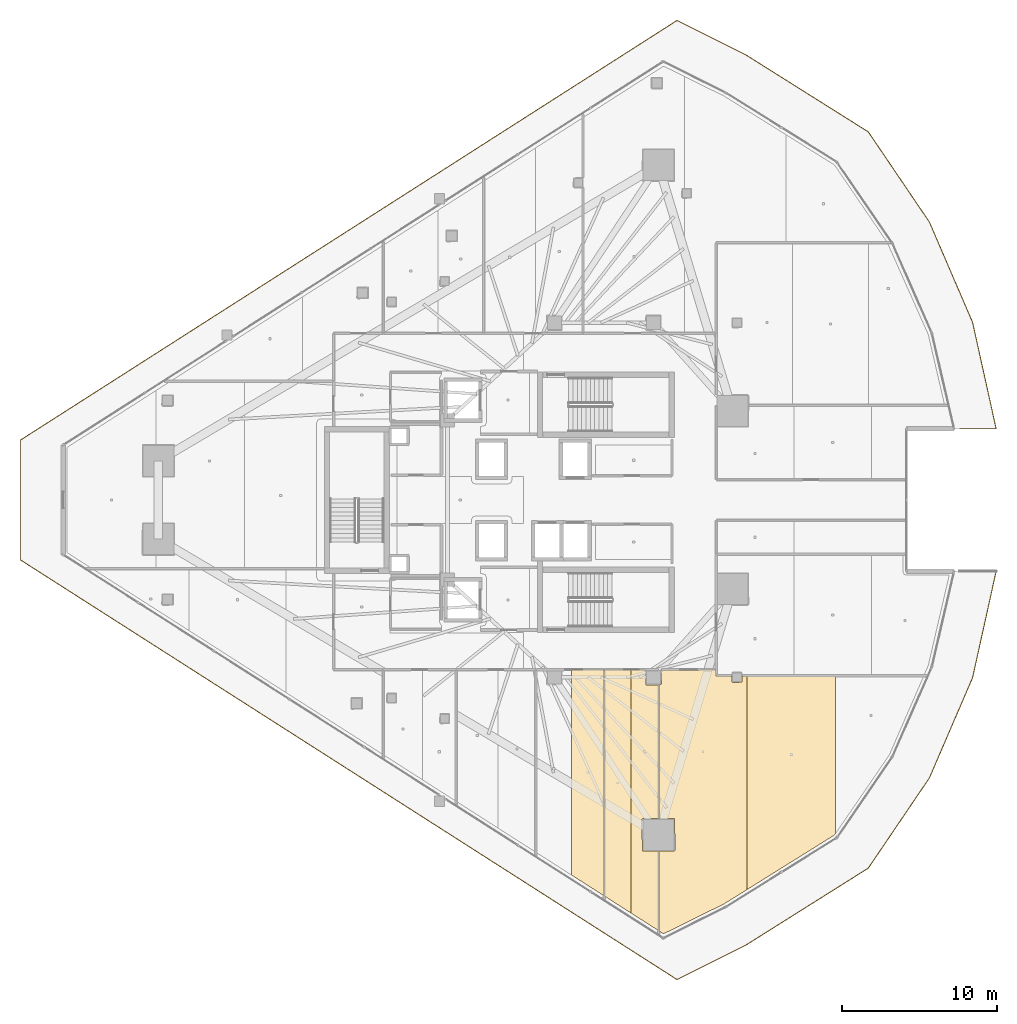
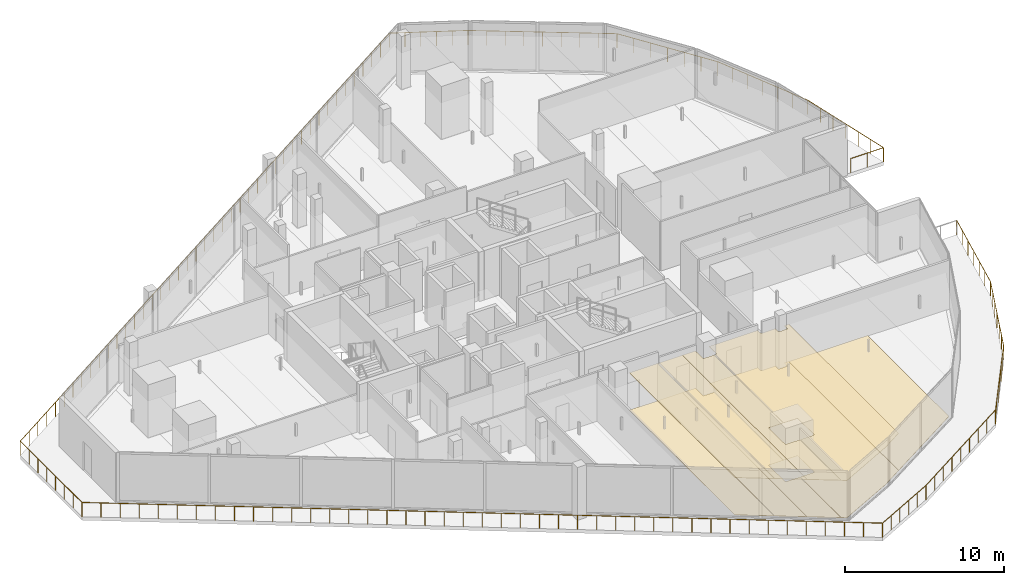
# One storey, part 33 of 37: 9 coverings, 1 railing.
"""IFC4 building model written with IfcOpenShell, lengths in metres."""

from ifc_helpers import new_model, si_unit, direction, frame, origin, origin_2d, place, context, subcontext, project, spatial, polyline, circle, outline, extrude, material, layer, layer_set, type_object, element, save


model = new_model("IFC4")

# Units and contexts
model_context = context("Model", 3, precision=1e-05, world=origin(), true_north=direction((0.0, 1.0)))
body_context = subcontext(model_context, "Body", "Model", "MODEL_VIEW")
ifc_project = project(units=[si_unit("LENGTHUNIT", "METRE"), si_unit("AREAUNIT", "SQUARE_METRE"), si_unit("VOLUMEUNIT", "CUBIC_METRE"), si_unit("PLANEANGLEUNIT", "RADIAN"), si_unit("MASSUNIT", "GRAM", prefix="KILO")], contexts=[model_context])

# Site, building, storey
site_placement = place(None, origin())
site = spatial("IfcSite", under=ifc_project, at=site_placement, CompositionType="ELEMENT")
building_placement = place(site_placement, origin())
building = spatial("IfcBuilding", under=site, at=building_placement, Name="Qorvath Tower", CompositionType="ELEMENT")
storey_placement = place(building_placement, frame((0.0, 0.0, 188.85009765625)))
storey = spatial("IfcBuildingStorey", under=building, at=storey_placement, Name="L43", CompositionType="ELEMENT", Elevation=188.85009765625)

# Coverings
ifc_material_1 = material(Name="Acoustic mineral fibre ceiling tile", Category="gypsum")
ifc_layer_1 = layer(ifc_material_1, 0.030029296875)
ifc_layer_set_1 = layer_set([ifc_layer_1], Name="COV-CEIL")
covering_type_1 = type_object("IfcCoveringType", Name="COV-CEIL", PredefinedType="CEILING", material=ifc_layer_set_1)
covering_1_placement = place(storey_placement, frame((0.0, 0.0, 2.849853515625)))
element("IfcCovering", 1, at=covering_1_placement, inside=storey, type_object=covering_type_1, Name="L43 Suspended Acoustic Ceiling 024", PredefinedType="CEILING", context=body_context, shape_type="SweptSolid", body=[
    extrude(outline(polyline([(-22.486572265625, -10.962890625), (-22.486572265625, -24.226806640625), (-20.387451171875, -25.568359375), (-20.387451171875, -10.962890625), (-22.486572265625, -10.962890625)])), origin(), (0.0, 0.0, 1.0), 0.030029296875),
])
covering_2_placement = place(storey_placement, frame((0.0, 0.0, 2.849853515625)))
element("IfcCovering", 2, at=covering_2_placement, inside=storey, type_object=covering_type_1, Name="L43 Suspended Acoustic Ceiling 025", PredefinedType="CEILING", context=body_context, shape_type="SweptSolid", body=[
    extrude(outline(polyline([(-18.646484375, -26.68115234375), (-18.646484375, -10.962890625), (-20.369384765625, -10.962890625), (-20.369384765625, -25.579833984375), (-18.646484375, -26.68115234375)])), origin(), (0.0, 0.0, 1.0), 0.030029296875),
])
covering_3_placement = place(storey_placement, frame((0.0, 0.0, 2.849853515625)))
element("IfcCovering", 3, at=covering_3_placement, inside=storey, type_object=covering_type_1, Name="L43 Suspended Acoustic Ceiling 026", PredefinedType="CEILING", context=body_context, shape_type="SweptSolid", body=[
    extrude(outline(polyline([(-17.87158203125, -20.567138671875), (-16.86474609375, -20.567138671875), (-16.86474609375, -11.9599609375), (-17.6923828125, -11.9423828125), (-17.694580078125, -10.962890625), (-18.646484375, -10.962890625), (-18.646484375, -26.68115234375), (-16.86474609375, -27.81982421875), (-16.86474609375, -22.68701171875), (-17.9140625, -22.66943359375), (-17.931640625, -20.627197265625), (-17.87158203125, -20.567138671875)])), origin(), (0.0, 0.0, 1.0), 0.030029296875),
])
covering_4_placement = place(storey_placement, frame((0.0, 0.0, 2.849853515625)))
element("IfcCovering", 4, at=covering_4_placement, inside=storey, type_object=covering_type_1, Name="L43 Suspended Acoustic Ceiling 027", PredefinedType="CEILING", context=body_context, shape_type="SweptSolid", body=[
    extrude(outline(polyline([(-16.8466796875, -27.83154296875), (-16.5458984375, -28.023681640625), (-12.6318359375, -26.089111328125), (-11.142578125, -25.159912109375), (-11.142578125, -11.35888671875), (-11.465087890625, -11.358642578125), (-11.482666015625, -11.767333984375), (-12.074951171875, -11.784912109375), (-12.135009765625, -11.72509765625), (-12.135009765625, -11.359375), (-13.153564453125, -11.357177734375), (-13.155029296875, -10.962890625), (-16.7021484375, -10.970703125), (-16.68994140625, -11.89990234375), (-16.8466796875, -11.9599609375), (-16.8466796875, -20.567138671875), (-15.829345703125, -20.584716796875), (-15.811767578125, -22.627197265625), (-15.87158203125, -22.68701171875), (-16.8466796875, -22.68701171875), (-16.8466796875, -27.83154296875)])), origin(), (0.0, 0.0, 1.0), 0.030029296875),
])
ifc_material_2 = material(Name="Low-VOC modular carpet tile", Category="textile")
ifc_layer_2 = layer(ifc_material_2, 0.014892578125)
ifc_layer_set_2 = layer_set([ifc_layer_2], Name="COV-FLOOR-CPT")
covering_type_2 = type_object("IfcCoveringType", Name="COV-FLOOR-CPT", PredefinedType="FLOORING", material=ifc_layer_set_2)
covering_5_placement = place(storey_placement, origin())
element("IfcCovering", 5, at=covering_5_placement, inside=storey, type_object=covering_type_2, Name="L43 Floor Finish 024", PredefinedType="FLOORING", context=body_context, shape_type="SweptSolid", body=[
    extrude(outline(polyline([(-22.486572265625, -10.962890625), (-22.486572265625, -24.226806640625), (-20.387451171875, -25.568359375), (-20.387451171875, -10.962890625), (-22.486572265625, -10.962890625)])), origin(), (0.0, 0.0, 1.0), 0.014892578125),
])
covering_6_placement = place(storey_placement, origin())
element("IfcCovering", 6, at=covering_6_placement, inside=storey, type_object=covering_type_2, Name="L43 Floor Finish 025", PredefinedType="FLOORING", context=body_context, shape_type="SweptSolid", body=[
    extrude(outline(polyline([(-18.646484375, -26.68115234375), (-18.646484375, -10.962890625), (-20.369384765625, -10.962890625), (-20.369384765625, -25.579833984375), (-18.646484375, -26.68115234375)])), origin(), (0.0, 0.0, 1.0), 0.014892578125),
])
covering_7_placement = place(storey_placement, origin())
element("IfcCovering", 7, at=covering_7_placement, inside=storey, type_object=covering_type_2, Name="L43 Floor Finish 026", PredefinedType="FLOORING", context=body_context, shape_type="SweptSolid", body=[
    extrude(outline(polyline([(-17.87158203125, -20.567138671875), (-16.86474609375, -20.567138671875), (-16.86474609375, -11.9599609375), (-17.6923828125, -11.9423828125), (-17.694580078125, -10.962890625), (-18.646484375, -10.962890625), (-18.646484375, -26.68115234375), (-16.86474609375, -27.81982421875), (-16.86474609375, -22.68701171875), (-17.9140625, -22.66943359375), (-17.931640625, -20.627197265625), (-17.87158203125, -20.567138671875)])), origin(), (0.0, 0.0, 1.0), 0.014892578125),
])
covering_8_placement = place(storey_placement, origin())
element("IfcCovering", 8, at=covering_8_placement, inside=storey, type_object=covering_type_2, Name="L43 Floor Finish 027", PredefinedType="FLOORING", context=body_context, shape_type="SweptSolid", body=[
    extrude(outline(polyline([(-16.8466796875, -27.83154296875), (-16.5458984375, -28.023681640625), (-12.6318359375, -26.089111328125), (-11.142578125, -25.159912109375), (-11.142578125, -11.35888671875), (-11.465087890625, -11.358642578125), (-11.482666015625, -11.767333984375), (-12.074951171875, -11.784912109375), (-12.135009765625, -11.72509765625), (-12.135009765625, -11.359375), (-13.153564453125, -11.357177734375), (-13.155029296875, -10.962890625), (-16.7021484375, -10.970703125), (-16.68994140625, -11.89990234375), (-16.8466796875, -11.9599609375), (-16.8466796875, -20.567138671875), (-15.829345703125, -20.584716796875), (-15.811767578125, -22.627197265625), (-15.87158203125, -22.68701171875), (-16.8466796875, -22.68701171875), (-16.8466796875, -27.83154296875)])), origin(), (0.0, 0.0, 1.0), 0.014892578125),
])
covering_9_placement = place(storey_placement, origin())
element("IfcCovering", 9, at=covering_9_placement, inside=storey, type_object=covering_type_2, Name="L43 Floor Finish 028", PredefinedType="FLOORING", context=body_context, shape_type="SweptSolid", body=[
    extrude(outline(polyline([(-11.142578125, -11.35888671875), (-11.142578125, -25.159912109375), (-5.496826171875, -21.637451171875), (-5.438720703125, -21.55224609375), (-5.438720703125, -11.361083984375), (-11.142578125, -11.35888671875)])), origin(), (0.0, 0.0, 1.0), 0.014892578125),
])

# Railing
ifc_material_3 = material(Name="Laminated safety glass and stainless steel AISI 316", Category="steel")
railing_type = type_object("IfcRailingType", Name="RL-EXT-GRD", PredefinedType="GUARDRAIL", material=ifc_material_3)
railing_placement = place(storey_placement, frame((4.9453125, -4.600830078125, 0.0)))
element("IfcRailing", 10, at=railing_placement, inside=storey, type_object=railing_type, Name="Loggia Perimeter Guardrail L43-1.1", PredefinedType="GUARDRAIL", context=body_context, shape_type="SweptSolid", body=[
    extrude(circle(Radius=0.02392578125, at=origin_2d()), frame((0.0, 0.0, 1.09619140625), z_axis=(-0.216101134356, -0.976370984683, 0.0), x_axis=(0.976370984683, -0.216101134356, 0.0)), (0.0, 0.0, 1.0), 7.045166015625),
    extrude(circle(Radius=0.02392578125, at=origin_2d()), frame((-1.5224609375, -6.878662109375, 1.09619140625), z_axis=(-0.395478650481, -0.918475169514, 0.0), x_axis=(0.918475169514, -0.395478650481, 0.0)), (0.0, 0.0, 1.0), 7.045654296875),
    extrude(circle(Radius=0.02392578125, at=origin_2d()), frame((-4.308837890625, -13.349853515625, 1.09619140625), z_axis=(-0.560826690673, -0.827933223774, 0.0), x_axis=(0.827933223774, -0.560826690673, 0.0)), (0.0, 0.0, 1.0), 7.045166015625),
    extrude(circle(Radius=0.02392578125, at=origin_2d()), frame((-8.260009765625, -19.182861328125, 1.09619140625), z_axis=(-0.84650166767, -0.532386069157, 0.0), x_axis=(0.532386069157, -0.84650166767, 0.0)), (0.0, 0.0, 1.0), 9.36865234375),
    extrude(circle(Radius=0.02392578125, at=origin_2d()), frame((-16.190673828125, -24.170654296875, 1.09619140625), z_axis=(-0.894437057166, -0.447193862623, 0.0), x_axis=(0.447193862623, -0.894437057166, 0.0)), (0.0, 0.0, 1.0), 4.948974609375),
    extrude(circle(Radius=0.02392578125, at=origin_2d()), frame((-20.6171875, -26.3837890625, 1.09619140625), z_axis=(-0.84260371591, 0.538534100996, 0.0), x_axis=(-0.538534100996, -0.84260371591, 0.0)), (0.0, 0.0, 1.0), 50.34326171875),
    extrude(circle(Radius=0.02392578125, at=origin_2d()), frame((-63.03662109375, 0.727783203125, 1.09619140625), z_axis=(0.0, 1.0, 0.0), x_axis=(-1.0, 0.0, 0.0)), (0.0, 0.0, 1.0), 7.74609375),
    extrude(circle(Radius=0.02392578125, at=origin_2d()), frame((-63.03662109375, 8.473876953125, 1.09619140625), z_axis=(0.84260371591, 0.538534100996, 0.0), x_axis=(-0.538534100996, 0.84260371591, 0.0)), (0.0, 0.0, 1.0), 50.34326171875),
    extrude(circle(Radius=0.02392578125, at=origin_2d()), frame((-20.6171875, 35.58544921875, 1.09619140625), z_axis=(0.894437057166, -0.447193862623, 0.0), x_axis=(0.447193862623, 0.894437057166, 0.0)), (0.0, 0.0, 1.0), 4.948974609375),
    extrude(circle(Radius=0.02392578125, at=origin_2d()), frame((-16.190673828125, 33.372314453125, 1.09619140625), z_axis=(0.84650166767, -0.532386069157, 0.0), x_axis=(0.532386069157, 0.84650166767, 0.0)), (0.0, 0.0, 1.0), 9.36865234375),
    extrude(circle(Radius=0.02392578125, at=origin_2d()), frame((-8.260009765625, 28.384521484375, 1.09619140625), z_axis=(0.560826690673, -0.827933223774, 0.0), x_axis=(0.827933223774, 0.560826690673, 0.0)), (0.0, 0.0, 1.0), 7.045166015625),
    extrude(circle(Radius=0.02392578125, at=origin_2d()), frame((-4.308837890625, 22.551513671875, 1.09619140625), z_axis=(0.395478650481, -0.918475169514, 0.0), x_axis=(0.918475169514, 0.395478650481, 0.0)), (0.0, 0.0, 1.0), 7.045654296875),
    extrude(circle(Radius=0.02392578125, at=origin_2d()), frame((-1.5224609375, 16.080322265625, 1.09619140625), z_axis=(0.216101134356, -0.976370984683, 0.0), x_axis=(0.976370984683, 0.216101134356, 0.0)), (0.0, 0.0, 1.0), 7.045166015625),
    extrude(circle(Radius=0.02392578125, at=origin_2d()), frame((0.0, 9.20166015625, 1.09619140625), z_axis=(-1.0, 0.0, 0.0), x_axis=(0.0, -1.0, 0.0)), (0.0, 0.0, 1.0), 2.36669921875),
    extrude(circle(Radius=0.02099609375, at=origin_2d()), origin(), (0.0, 0.0, 1.0), 1.072021484375),
    extrude(circle(Radius=0.02099609375, at=origin_2d()), frame((-0.253662109375, -1.146484375, 0.0)), (0.0, 0.0, 1.0), 1.072021484375),
    extrude(circle(Radius=0.02099609375, at=origin_2d()), frame((-0.507568359375, -2.29296875, 0.0)), (0.0, 0.0, 1.0), 1.072021484375),
    extrude(circle(Radius=0.02099609375, at=origin_2d()), frame((-0.76123046875, -3.439453125, 0.0)), (0.0, 0.0, 1.0), 1.072021484375),
    extrude(circle(Radius=0.02099609375, at=origin_2d()), frame((-1.014892578125, -4.585693359375, 0.0)), (0.0, 0.0, 1.0), 1.072021484375),
    extrude(circle(Radius=0.02099609375, at=origin_2d()), frame((-1.268798828125, -5.732177734375, 0.0)), (0.0, 0.0, 1.0), 1.072021484375),
    extrude(circle(Radius=0.02099609375, at=origin_2d()), frame((-1.5224609375, -6.878662109375, 0.0)), (0.0, 0.0, 1.0), 1.072021484375),
    extrude(circle(Radius=0.02099609375, at=origin_2d()), frame((-1.98681640625, -7.957275390625, 0.0)), (0.0, 0.0, 1.0), 1.072021484375),
    extrude(circle(Radius=0.02099609375, at=origin_2d()), frame((-2.451171875, -9.03564453125, 0.0)), (0.0, 0.0, 1.0), 1.072021484375),
    extrude(circle(Radius=0.02099609375, at=origin_2d()), frame((-2.91552734375, -10.1142578125, 0.0)), (0.0, 0.0, 1.0), 1.072021484375),
    extrude(circle(Radius=0.02099609375, at=origin_2d()), frame((-3.380126953125, -11.19287109375, 0.0)), (0.0, 0.0, 1.0), 1.072021484375),
    extrude(circle(Radius=0.02099609375, at=origin_2d()), frame((-3.844482421875, -12.271240234375, 0.0)), (0.0, 0.0, 1.0), 1.072021484375),
    extrude(circle(Radius=0.02099609375, at=origin_2d()), frame((-4.308837890625, -13.349853515625, 0.0)), (0.0, 0.0, 1.0), 1.072021484375),
    extrude(circle(Radius=0.02099609375, at=origin_2d()), frame((-4.96728515625, -14.322021484375, 0.0)), (0.0, 0.0, 1.0), 1.072021484375),
    extrude(circle(Radius=0.02099609375, at=origin_2d()), frame((-5.6259765625, -15.294189453125, 0.0)), (0.0, 0.0, 1.0), 1.072021484375),
    extrude(circle(Radius=0.02099609375, at=origin_2d()), frame((-6.284423828125, -16.266357421875, 0.0)), (0.0, 0.0, 1.0), 1.072021484375),
    extrude(circle(Radius=0.02099609375, at=origin_2d()), frame((-6.94287109375, -17.238525390625, 0.0)), (0.0, 0.0, 1.0), 1.072021484375),
    extrude(circle(Radius=0.02099609375, at=origin_2d()), frame((-7.6015625, -18.210693359375, 0.0)), (0.0, 0.0, 1.0), 1.072021484375),
    extrude(circle(Radius=0.02099609375, at=origin_2d()), frame((-8.260009765625, -19.182861328125, 0.0)), (0.0, 0.0, 1.0), 1.072021484375),
    extrude(circle(Radius=0.02099609375, at=origin_2d()), frame((-9.25146484375, -19.806396484375, 0.0)), (0.0, 0.0, 1.0), 1.072021484375),
    extrude(circle(Radius=0.02099609375, at=origin_2d()), frame((-10.24267578125, -20.4296875, 0.0)), (0.0, 0.0, 1.0), 1.072021484375),
    extrude(circle(Radius=0.02099609375, at=origin_2d()), frame((-11.23388671875, -21.05322265625, 0.0)), (0.0, 0.0, 1.0), 1.072021484375),
    extrude(circle(Radius=0.02099609375, at=origin_2d()), frame((-12.225341796875, -21.6767578125, 0.0)), (0.0, 0.0, 1.0), 1.072021484375),
    extrude(circle(Radius=0.02099609375, at=origin_2d()), frame((-13.216796875, -22.30029296875, 0.0)), (0.0, 0.0, 1.0), 1.072021484375),
    extrude(circle(Radius=0.02099609375, at=origin_2d()), frame((-14.2080078125, -22.923828125, 0.0)), (0.0, 0.0, 1.0), 1.072021484375),
    extrude(circle(Radius=0.02099609375, at=origin_2d()), frame((-15.19921875, -23.547119140625, 0.0)), (0.0, 0.0, 1.0), 1.072021484375),
    extrude(circle(Radius=0.02099609375, at=origin_2d()), frame((-16.190673828125, -24.170654296875, 0.0)), (0.0, 0.0, 1.0), 1.072021484375),
    extrude(circle(Radius=0.02099609375, at=origin_2d()), frame((-17.075927734375, -24.61328125, 0.0)), (0.0, 0.0, 1.0), 1.072021484375),
    extrude(circle(Radius=0.02099609375, at=origin_2d()), frame((-17.961181640625, -25.055908203125, 0.0)), (0.0, 0.0, 1.0), 1.072021484375),
    extrude(circle(Radius=0.02099609375, at=origin_2d()), frame((-18.8466796875, -25.49853515625, 0.0)), (0.0, 0.0, 1.0), 1.072021484375),
    extrude(circle(Radius=0.02099609375, at=origin_2d()), frame((-19.73193359375, -25.941162109375, 0.0)), (0.0, 0.0, 1.0), 1.072021484375),
    extrude(circle(Radius=0.02099609375, at=origin_2d()), frame((-20.6171875, -26.3837890625, 0.0)), (0.0, 0.0, 1.0), 1.072021484375),
    extrude(circle(Radius=0.02099609375, at=origin_2d()), frame((-21.627197265625, -25.73828125, 0.0)), (0.0, 0.0, 1.0), 1.072021484375),
    extrude(circle(Radius=0.02099609375, at=origin_2d()), frame((-22.63720703125, -25.0927734375, 0.0)), (0.0, 0.0, 1.0), 1.072021484375),
    extrude(circle(Radius=0.02099609375, at=origin_2d()), frame((-23.647216796875, -24.447265625, 0.0)), (0.0, 0.0, 1.0), 1.072021484375),
    extrude(circle(Radius=0.02099609375, at=origin_2d()), frame((-24.6572265625, -23.8017578125, 0.0)), (0.0, 0.0, 1.0), 1.072021484375),
    extrude(circle(Radius=0.02099609375, at=origin_2d()), frame((-25.667236328125, -23.15625, 0.0)), (0.0, 0.0, 1.0), 1.072021484375),
    extrude(circle(Radius=0.02099609375, at=origin_2d()), frame((-26.677001953125, -22.5107421875, 0.0)), (0.0, 0.0, 1.0), 1.072021484375),
    extrude(circle(Radius=0.02099609375, at=origin_2d()), frame((-27.68701171875, -21.865234375, 0.0)), (0.0, 0.0, 1.0), 1.072021484375),
    extrude(circle(Radius=0.02099609375, at=origin_2d()), frame((-28.697021484375, -21.2197265625, 0.0)), (0.0, 0.0, 1.0), 1.072021484375),
    extrude(circle(Radius=0.02099609375, at=origin_2d()), frame((-29.70703125, -20.57421875, 0.0)), (0.0, 0.0, 1.0), 1.072021484375),
    extrude(circle(Radius=0.02099609375, at=origin_2d()), frame((-30.717041015625, -19.9287109375, 0.0)), (0.0, 0.0, 1.0), 1.072021484375),
    extrude(circle(Radius=0.02099609375, at=origin_2d()), frame((-31.72705078125, -19.283203125, 0.0)), (0.0, 0.0, 1.0), 1.072021484375),
    extrude(circle(Radius=0.02099609375, at=origin_2d()), frame((-32.737060546875, -18.6376953125, 0.0)), (0.0, 0.0, 1.0), 1.072021484375),
    extrude(circle(Radius=0.02099609375, at=origin_2d()), frame((-33.7470703125, -17.9921875, 0.0)), (0.0, 0.0, 1.0), 1.072021484375),
    extrude(circle(Radius=0.02099609375, at=origin_2d()), frame((-34.757080078125, -17.3466796875, 0.0)), (0.0, 0.0, 1.0), 1.072021484375),
    extrude(circle(Radius=0.02099609375, at=origin_2d()), frame((-35.76708984375, -16.701171875, 0.0)), (0.0, 0.0, 1.0), 1.072021484375),
    extrude(circle(Radius=0.02099609375, at=origin_2d()), frame((-36.77685546875, -16.0556640625, 0.0)), (0.0, 0.0, 1.0), 1.072021484375),
    extrude(circle(Radius=0.02099609375, at=origin_2d()), frame((-37.786865234375, -15.41015625, 0.0)), (0.0, 0.0, 1.0), 1.072021484375),
    extrude(circle(Radius=0.02099609375, at=origin_2d()), frame((-38.796875, -14.7646484375, 0.0)), (0.0, 0.0, 1.0), 1.072021484375),
    extrude(circle(Radius=0.02099609375, at=origin_2d()), frame((-39.806884765625, -14.119140625, 0.0)), (0.0, 0.0, 1.0), 1.072021484375),
    extrude(circle(Radius=0.02099609375, at=origin_2d()), frame((-40.81689453125, -13.4736328125, 0.0)), (0.0, 0.0, 1.0), 1.072021484375),
    extrude(circle(Radius=0.02099609375, at=origin_2d()), frame((-41.826904296875, -12.828125, 0.0)), (0.0, 0.0, 1.0), 1.072021484375),
    extrude(circle(Radius=0.02099609375, at=origin_2d()), frame((-42.8369140625, -12.182373046875, 0.0)), (0.0, 0.0, 1.0), 1.072021484375),
    extrude(circle(Radius=0.02099609375, at=origin_2d()), frame((-43.846923828125, -11.536865234375, 0.0)), (0.0, 0.0, 1.0), 1.072021484375),
    extrude(circle(Radius=0.02099609375, at=origin_2d()), frame((-44.85693359375, -10.891357421875, 0.0)), (0.0, 0.0, 1.0), 1.072021484375),
    extrude(circle(Radius=0.02099609375, at=origin_2d()), frame((-45.866943359375, -10.245849609375, 0.0)), (0.0, 0.0, 1.0), 1.072021484375),
    extrude(circle(Radius=0.02099609375, at=origin_2d()), frame((-46.876953125, -9.600341796875, 0.0)), (0.0, 0.0, 1.0), 1.072021484375),
    extrude(circle(Radius=0.02099609375, at=origin_2d()), frame((-47.88671875, -8.954833984375, 0.0)), (0.0, 0.0, 1.0), 1.072021484375),
    extrude(circle(Radius=0.02099609375, at=origin_2d()), frame((-48.896728515625, -8.309326171875, 0.0)), (0.0, 0.0, 1.0), 1.072021484375),
    extrude(circle(Radius=0.02099609375, at=origin_2d()), frame((-49.90673828125, -7.663818359375, 0.0)), (0.0, 0.0, 1.0), 1.072021484375),
    extrude(circle(Radius=0.02099609375, at=origin_2d()), frame((-50.916748046875, -7.018310546875, 0.0)), (0.0, 0.0, 1.0), 1.072021484375),
    extrude(circle(Radius=0.02099609375, at=origin_2d()), frame((-51.9267578125, -6.372802734375, 0.0)), (0.0, 0.0, 1.0), 1.072021484375),
    extrude(circle(Radius=0.02099609375, at=origin_2d()), frame((-52.936767578125, -5.727294921875, 0.0)), (0.0, 0.0, 1.0), 1.072021484375),
    extrude(circle(Radius=0.02099609375, at=origin_2d()), frame((-53.94677734375, -5.081787109375, 0.0)), (0.0, 0.0, 1.0), 1.072021484375),
    extrude(circle(Radius=0.02099609375, at=origin_2d()), frame((-54.956787109375, -4.436279296875, 0.0)), (0.0, 0.0, 1.0), 1.072021484375),
    extrude(circle(Radius=0.02099609375, at=origin_2d()), frame((-55.966796875, -3.790771484375, 0.0)), (0.0, 0.0, 1.0), 1.072021484375),
    extrude(circle(Radius=0.02099609375, at=origin_2d()), frame((-56.976806640625, -3.145263671875, 0.0)), (0.0, 0.0, 1.0), 1.072021484375),
    extrude(circle(Radius=0.02099609375, at=origin_2d()), frame((-57.986572265625, -2.499755859375, 0.0)), (0.0, 0.0, 1.0), 1.072021484375),
    extrude(circle(Radius=0.02099609375, at=origin_2d()), frame((-58.99658203125, -1.854248046875, 0.0)), (0.0, 0.0, 1.0), 1.072021484375),
    extrude(circle(Radius=0.02099609375, at=origin_2d()), frame((-60.006591796875, -1.208740234375, 0.0)), (0.0, 0.0, 1.0), 1.072021484375),
    extrude(circle(Radius=0.02099609375, at=origin_2d()), frame((-61.0166015625, -0.563232421875, 0.0)), (0.0, 0.0, 1.0), 1.072021484375),
    extrude(circle(Radius=0.02099609375, at=origin_2d()), frame((-62.026611328125, 0.082275390625, 0.0)), (0.0, 0.0, 1.0), 1.072021484375),
    extrude(circle(Radius=0.02099609375, at=origin_2d()), frame((-63.03662109375, 0.727783203125, 0.0)), (0.0, 0.0, 1.0), 1.072021484375),
    extrude(circle(Radius=0.02099609375, at=origin_2d()), frame((-63.03662109375, 1.83447265625, 0.0)), (0.0, 0.0, 1.0), 1.072021484375),
    extrude(circle(Radius=0.02099609375, at=origin_2d()), frame((-63.03662109375, 2.94091796875, 0.0)), (0.0, 0.0, 1.0), 1.072021484375),
    extrude(circle(Radius=0.02099609375, at=origin_2d()), frame((-63.03662109375, 4.047607421875, 0.0)), (0.0, 0.0, 1.0), 1.072021484375),
    extrude(circle(Radius=0.02099609375, at=origin_2d()), frame((-63.03662109375, 5.154052734375, 0.0)), (0.0, 0.0, 1.0), 1.072021484375),
    extrude(circle(Radius=0.02099609375, at=origin_2d()), frame((-63.03662109375, 6.2607421875, 0.0)), (0.0, 0.0, 1.0), 1.072021484375),
    extrude(circle(Radius=0.02099609375, at=origin_2d()), frame((-63.03662109375, 7.3671875, 0.0)), (0.0, 0.0, 1.0), 1.072021484375),
    extrude(circle(Radius=0.02099609375, at=origin_2d()), frame((-63.03662109375, 8.473876953125, 0.0)), (0.0, 0.0, 1.0), 1.072021484375),
    extrude(circle(Radius=0.02099609375, at=origin_2d()), frame((-62.026611328125, 9.119384765625, 0.0)), (0.0, 0.0, 1.0), 1.072021484375),
    extrude(circle(Radius=0.02099609375, at=origin_2d()), frame((-61.0166015625, 9.764892578125, 0.0)), (0.0, 0.0, 1.0), 1.072021484375),
    extrude(circle(Radius=0.02099609375, at=origin_2d()), frame((-60.006591796875, 10.410400390625, 0.0)), (0.0, 0.0, 1.0), 1.072021484375),
    extrude(circle(Radius=0.02099609375, at=origin_2d()), frame((-58.99658203125, 11.055908203125, 0.0)), (0.0, 0.0, 1.0), 1.072021484375),
    extrude(circle(Radius=0.02099609375, at=origin_2d()), frame((-57.986572265625, 11.701416015625, 0.0)), (0.0, 0.0, 1.0), 1.072021484375),
    extrude(circle(Radius=0.02099609375, at=origin_2d()), frame((-56.976806640625, 12.346923828125, 0.0)), (0.0, 0.0, 1.0), 1.072021484375),
    extrude(circle(Radius=0.02099609375, at=origin_2d()), frame((-55.966796875, 12.992431640625, 0.0)), (0.0, 0.0, 1.0), 1.072021484375),
    extrude(circle(Radius=0.02099609375, at=origin_2d()), frame((-54.956787109375, 13.637939453125, 0.0)), (0.0, 0.0, 1.0), 1.072021484375),
    extrude(circle(Radius=0.02099609375, at=origin_2d()), frame((-53.94677734375, 14.283447265625, 0.0)), (0.0, 0.0, 1.0), 1.072021484375),
    extrude(circle(Radius=0.02099609375, at=origin_2d()), frame((-52.936767578125, 14.928955078125, 0.0)), (0.0, 0.0, 1.0), 1.072021484375),
    extrude(circle(Radius=0.02099609375, at=origin_2d()), frame((-51.9267578125, 15.574462890625, 0.0)), (0.0, 0.0, 1.0), 1.072021484375),
    extrude(circle(Radius=0.02099609375, at=origin_2d()), frame((-50.916748046875, 16.219970703125, 0.0)), (0.0, 0.0, 1.0), 1.072021484375),
    extrude(circle(Radius=0.02099609375, at=origin_2d()), frame((-49.90673828125, 16.865478515625, 0.0)), (0.0, 0.0, 1.0), 1.072021484375),
    extrude(circle(Radius=0.02099609375, at=origin_2d()), frame((-48.896728515625, 17.510986328125, 0.0)), (0.0, 0.0, 1.0), 1.072021484375),
    extrude(circle(Radius=0.02099609375, at=origin_2d()), frame((-47.88671875, 18.156494140625, 0.0)), (0.0, 0.0, 1.0), 1.072021484375),
    extrude(circle(Radius=0.02099609375, at=origin_2d()), frame((-46.876953125, 18.802001953125, 0.0)), (0.0, 0.0, 1.0), 1.072021484375),
    extrude(circle(Radius=0.02099609375, at=origin_2d()), frame((-45.866943359375, 19.447509765625, 0.0)), (0.0, 0.0, 1.0), 1.072021484375),
    extrude(circle(Radius=0.02099609375, at=origin_2d()), frame((-44.85693359375, 20.093017578125, 0.0)), (0.0, 0.0, 1.0), 1.072021484375),
    extrude(circle(Radius=0.02099609375, at=origin_2d()), frame((-43.846923828125, 20.738525390625, 0.0)), (0.0, 0.0, 1.0), 1.072021484375),
    extrude(circle(Radius=0.02099609375, at=origin_2d()), frame((-42.8369140625, 21.384033203125, 0.0)), (0.0, 0.0, 1.0), 1.072021484375),
    extrude(circle(Radius=0.02099609375, at=origin_2d()), frame((-41.826904296875, 22.02978515625, 0.0)), (0.0, 0.0, 1.0), 1.072021484375),
    extrude(circle(Radius=0.02099609375, at=origin_2d()), frame((-40.81689453125, 22.67529296875, 0.0)), (0.0, 0.0, 1.0), 1.072021484375),
    extrude(circle(Radius=0.02099609375, at=origin_2d()), frame((-39.806884765625, 23.32080078125, 0.0)), (0.0, 0.0, 1.0), 1.072021484375),
    extrude(circle(Radius=0.02099609375, at=origin_2d()), frame((-38.796875, 23.96630859375, 0.0)), (0.0, 0.0, 1.0), 1.072021484375),
    extrude(circle(Radius=0.02099609375, at=origin_2d()), frame((-37.786865234375, 24.61181640625, 0.0)), (0.0, 0.0, 1.0), 1.072021484375),
    extrude(circle(Radius=0.02099609375, at=origin_2d()), frame((-36.77685546875, 25.25732421875, 0.0)), (0.0, 0.0, 1.0), 1.072021484375),
    extrude(circle(Radius=0.02099609375, at=origin_2d()), frame((-35.76708984375, 25.90283203125, 0.0)), (0.0, 0.0, 1.0), 1.072021484375),
    extrude(circle(Radius=0.02099609375, at=origin_2d()), frame((-34.757080078125, 26.54833984375, 0.0)), (0.0, 0.0, 1.0), 1.072021484375),
    extrude(circle(Radius=0.02099609375, at=origin_2d()), frame((-33.7470703125, 27.19384765625, 0.0)), (0.0, 0.0, 1.0), 1.072021484375),
    extrude(circle(Radius=0.02099609375, at=origin_2d()), frame((-32.737060546875, 27.83935546875, 0.0)), (0.0, 0.0, 1.0), 1.072021484375),
    extrude(circle(Radius=0.02099609375, at=origin_2d()), frame((-31.72705078125, 28.48486328125, 0.0)), (0.0, 0.0, 1.0), 1.072021484375),
    extrude(circle(Radius=0.02099609375, at=origin_2d()), frame((-30.717041015625, 29.13037109375, 0.0)), (0.0, 0.0, 1.0), 1.072021484375),
    extrude(circle(Radius=0.02099609375, at=origin_2d()), frame((-29.70703125, 29.77587890625, 0.0)), (0.0, 0.0, 1.0), 1.072021484375),
    extrude(circle(Radius=0.02099609375, at=origin_2d()), frame((-28.697021484375, 30.42138671875, 0.0)), (0.0, 0.0, 1.0), 1.072021484375),
    extrude(circle(Radius=0.02099609375, at=origin_2d()), frame((-27.68701171875, 31.06689453125, 0.0)), (0.0, 0.0, 1.0), 1.072021484375),
    extrude(circle(Radius=0.02099609375, at=origin_2d()), frame((-26.677001953125, 31.71240234375, 0.0)), (0.0, 0.0, 1.0), 1.072021484375),
    extrude(circle(Radius=0.02099609375, at=origin_2d()), frame((-25.667236328125, 32.35791015625, 0.0)), (0.0, 0.0, 1.0), 1.072021484375),
    extrude(circle(Radius=0.02099609375, at=origin_2d()), frame((-24.6572265625, 33.00341796875, 0.0)), (0.0, 0.0, 1.0), 1.072021484375),
    extrude(circle(Radius=0.02099609375, at=origin_2d()), frame((-23.647216796875, 33.64892578125, 0.0)), (0.0, 0.0, 1.0), 1.072021484375),
    extrude(circle(Radius=0.02099609375, at=origin_2d()), frame((-22.63720703125, 34.29443359375, 0.0)), (0.0, 0.0, 1.0), 1.072021484375),
    extrude(circle(Radius=0.02099609375, at=origin_2d()), frame((-21.627197265625, 34.93994140625, 0.0)), (0.0, 0.0, 1.0), 1.072021484375),
    extrude(circle(Radius=0.02099609375, at=origin_2d()), frame((-20.6171875, 35.58544921875, 0.0)), (0.0, 0.0, 1.0), 1.072021484375),
    extrude(circle(Radius=0.02099609375, at=origin_2d()), frame((-19.73193359375, 35.142822265625, 0.0)), (0.0, 0.0, 1.0), 1.072021484375),
    extrude(circle(Radius=0.02099609375, at=origin_2d()), frame((-18.8466796875, 34.7001953125, 0.0)), (0.0, 0.0, 1.0), 1.072021484375),
    extrude(circle(Radius=0.02099609375, at=origin_2d()), frame((-17.961181640625, 34.257568359375, 0.0)), (0.0, 0.0, 1.0), 1.072021484375),
    extrude(circle(Radius=0.02099609375, at=origin_2d()), frame((-17.075927734375, 33.81494140625, 0.0)), (0.0, 0.0, 1.0), 1.072021484375),
    extrude(circle(Radius=0.02099609375, at=origin_2d()), frame((-16.190673828125, 33.372314453125, 0.0)), (0.0, 0.0, 1.0), 1.072021484375),
    extrude(circle(Radius=0.02099609375, at=origin_2d()), frame((-15.19921875, 32.748779296875, 0.0)), (0.0, 0.0, 1.0), 1.072021484375),
    extrude(circle(Radius=0.02099609375, at=origin_2d()), frame((-14.2080078125, 32.12548828125, 0.0)), (0.0, 0.0, 1.0), 1.072021484375),
    extrude(circle(Radius=0.02099609375, at=origin_2d()), frame((-13.216796875, 31.501953125, 0.0)), (0.0, 0.0, 1.0), 1.072021484375),
    extrude(circle(Radius=0.02099609375, at=origin_2d()), frame((-12.225341796875, 30.87841796875, 0.0)), (0.0, 0.0, 1.0), 1.072021484375),
    extrude(circle(Radius=0.02099609375, at=origin_2d()), frame((-11.23388671875, 30.2548828125, 0.0)), (0.0, 0.0, 1.0), 1.072021484375),
    extrude(circle(Radius=0.02099609375, at=origin_2d()), frame((-10.24267578125, 29.63134765625, 0.0)), (0.0, 0.0, 1.0), 1.072021484375),
    extrude(circle(Radius=0.02099609375, at=origin_2d()), frame((-9.25146484375, 29.008056640625, 0.0)), (0.0, 0.0, 1.0), 1.072021484375),
    extrude(circle(Radius=0.02099609375, at=origin_2d()), frame((-8.260009765625, 28.384521484375, 0.0)), (0.0, 0.0, 1.0), 1.072021484375),
    extrude(circle(Radius=0.02099609375, at=origin_2d()), frame((-7.6015625, 27.412353515625, 0.0)), (0.0, 0.0, 1.0), 1.072021484375),
    extrude(circle(Radius=0.02099609375, at=origin_2d()), frame((-6.94287109375, 26.440185546875, 0.0)), (0.0, 0.0, 1.0), 1.072021484375),
    extrude(circle(Radius=0.02099609375, at=origin_2d()), frame((-6.284423828125, 25.468017578125, 0.0)), (0.0, 0.0, 1.0), 1.072021484375),
    extrude(circle(Radius=0.02099609375, at=origin_2d()), frame((-5.6259765625, 24.495849609375, 0.0)), (0.0, 0.0, 1.0), 1.072021484375),
    extrude(circle(Radius=0.02099609375, at=origin_2d()), frame((-4.96728515625, 23.523681640625, 0.0)), (0.0, 0.0, 1.0), 1.072021484375),
    extrude(circle(Radius=0.02099609375, at=origin_2d()), frame((-4.308837890625, 22.551513671875, 0.0)), (0.0, 0.0, 1.0), 1.072021484375),
    extrude(circle(Radius=0.02099609375, at=origin_2d()), frame((-3.844482421875, 21.472900390625, 0.0)), (0.0, 0.0, 1.0), 1.072021484375),
    extrude(circle(Radius=0.02099609375, at=origin_2d()), frame((-3.380126953125, 20.39453125, 0.0)), (0.0, 0.0, 1.0), 1.072021484375),
    extrude(circle(Radius=0.02099609375, at=origin_2d()), frame((-2.91552734375, 19.31591796875, 0.0)), (0.0, 0.0, 1.0), 1.072021484375),
    extrude(circle(Radius=0.02099609375, at=origin_2d()), frame((-2.451171875, 18.2373046875, 0.0)), (0.0, 0.0, 1.0), 1.072021484375),
    extrude(circle(Radius=0.02099609375, at=origin_2d()), frame((-1.98681640625, 17.158935546875, 0.0)), (0.0, 0.0, 1.0), 1.072021484375),
    extrude(circle(Radius=0.02099609375, at=origin_2d()), frame((-1.5224609375, 16.080322265625, 0.0)), (0.0, 0.0, 1.0), 1.072021484375),
    extrude(circle(Radius=0.02099609375, at=origin_2d()), frame((-1.268798828125, 14.933837890625, 0.0)), (0.0, 0.0, 1.0), 1.072021484375),
    extrude(circle(Radius=0.02099609375, at=origin_2d()), frame((-1.014892578125, 13.787353515625, 0.0)), (0.0, 0.0, 1.0), 1.072021484375),
    extrude(circle(Radius=0.02099609375, at=origin_2d()), frame((-0.76123046875, 12.64111328125, 0.0)), (0.0, 0.0, 1.0), 1.072021484375),
    extrude(circle(Radius=0.02099609375, at=origin_2d()), frame((-0.507568359375, 11.49462890625, 0.0)), (0.0, 0.0, 1.0), 1.072021484375),
    extrude(circle(Radius=0.02099609375, at=origin_2d()), frame((-0.253662109375, 10.34814453125, 0.0)), (0.0, 0.0, 1.0), 1.072021484375),
    extrude(circle(Radius=0.02099609375, at=origin_2d()), frame((0.0, 9.20166015625, 0.0)), (0.0, 0.0, 1.0), 1.072021484375),
    extrude(circle(Radius=0.02099609375, at=origin_2d()), frame((-1.183349609375, 9.20166015625, 0.0)), (0.0, 0.0, 1.0), 1.072021484375),
    extrude(circle(Radius=0.02099609375, at=origin_2d()), frame((-2.36669921875, 9.20166015625, 0.0)), (0.0, 0.0, 1.0), 1.072021484375),
])

save(model, "model.ifc")
